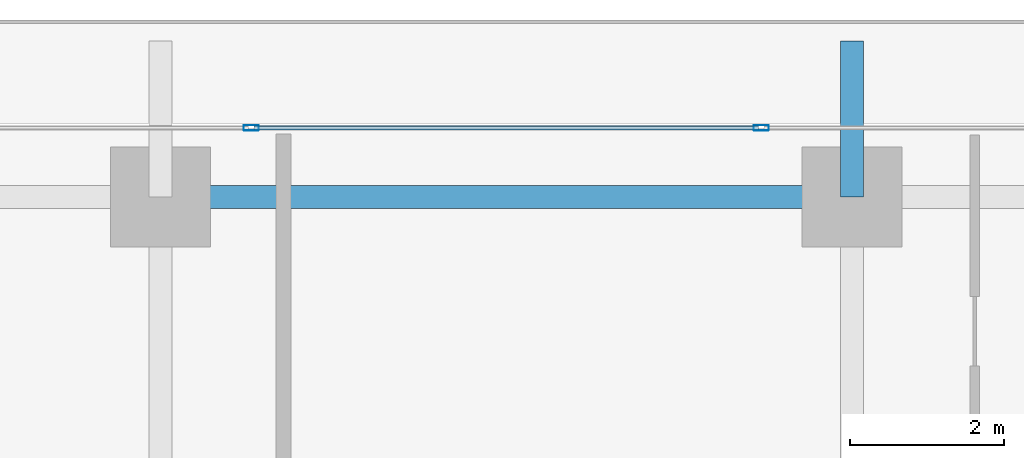
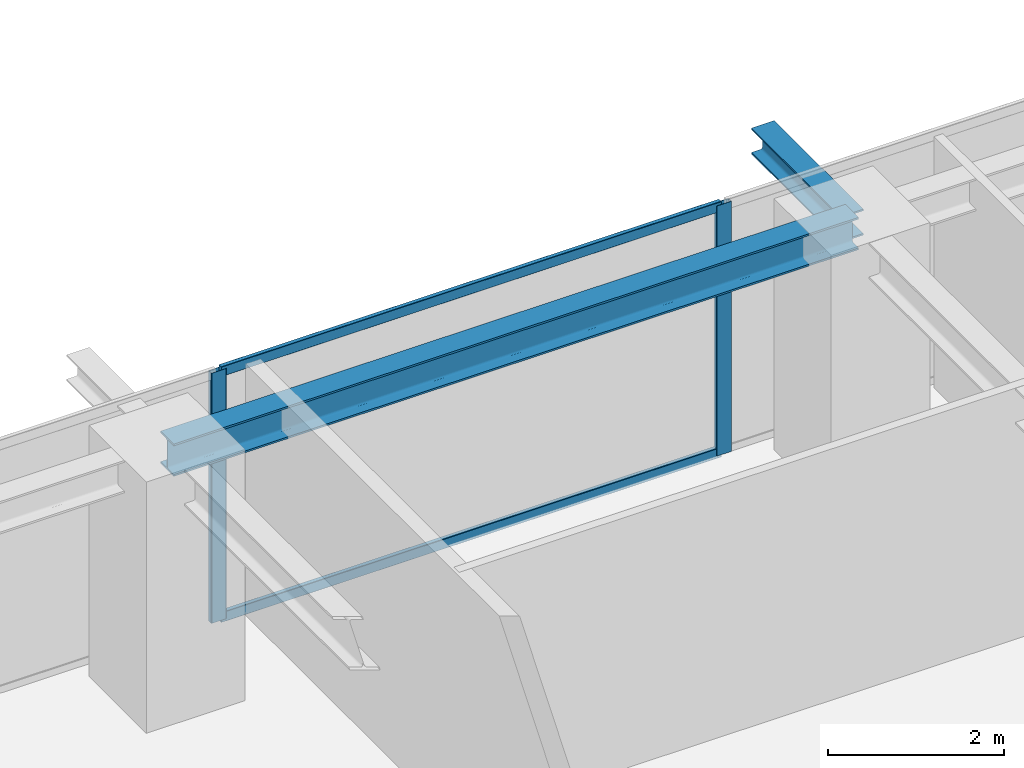
# One storey, part 19 of 34: 4 members, 2 beams, 1 element without a shape of its own.
"""IFC4 building model written with IfcOpenShell, lengths in metres."""

from ifc_helpers import new_model, si_unit, direction, frame, origin, origin_2d, place, context, subcontext, project, spatial, hollow_rectangle, i_section, extrude, source, transform, mapped, material, layer, layer_set, material_profile, profile_set, type_object, element, aggregate, save


model = new_model("IFC4")

# Units and contexts
model_context = context("Model", 3, precision=1e-05, world=origin(), true_north=direction((0.0, 1.0)))
body_context = subcontext(model_context, "Body", "Model", "MODEL_VIEW")
ifc_project = project(units=[si_unit("LENGTHUNIT", "METRE"), si_unit("AREAUNIT", "SQUARE_METRE"), si_unit("VOLUMEUNIT", "CUBIC_METRE"), si_unit("PLANEANGLEUNIT", "RADIAN"), si_unit("MASSUNIT", "GRAM", prefix="KILO")], contexts=[model_context])

# Site, building, storey
site_placement = place(None, origin())
site = spatial("IfcSite", under=ifc_project, at=site_placement, CompositionType="ELEMENT")
building_placement = place(site_placement, origin())
building = spatial("IfcBuilding", under=site, at=building_placement, Name="Serunith Strait Residences", CompositionType="ELEMENT")
storey_placement = place(building_placement, frame((0.0, 0.0, 187.64990234375)))
storey = spatial("IfcBuildingStorey", under=building, at=storey_placement, Name="L47", CompositionType="ELEMENT", Elevation=187.64990234375)

# Beams
ifc_material_1 = material(Name="Steel S355J2", Category="steel")
ifc_material_profile_1 = material_profile(ifc_material_1, i_section(OverallWidth=0.300048828125, OverallDepth=0.449951171875, WebThickness=0.013916015625, FlangeThickness=0.02587890625, FilletRadius=0.027099609375, at=origin_2d()), Name="HEB 450")
ifc_profile_set_1 = profile_set([ifc_material_profile_1], Name="Steel S355J2")
beam_type_1 = type_object("IfcBeamType", Name="BM-HEB450", PredefinedType="BEAM", material=ifc_profile_set_1)
shared_shape_1 = source(origin(), body_context, "Body", "SweptSolid", [
    extrude(i_section(OverallWidth=0.300048828125, OverallDepth=0.449951171875, WebThickness=0.013916015625, FlangeThickness=0.02587890625, FilletRadius=0.027099609375, at=origin_2d()), origin(), (0.0, 0.0, 1.0), 9.0),
])
beam_1_placement = place(storey_placement, frame((36.89990234375, 48.10009765625, 3.26220703125), z_axis=(-1.0, 0.0, 0.0), x_axis=(0.0, -1.0, 0.0)))
element("IfcBeam", 1, at=beam_1_placement, inside=storey, type_object=beam_type_1, Name="L47 Perimeter Ring Beam 10", PredefinedType="BEAM", context=body_context, shape_type="MappedRepresentation", body=[
    mapped(shared_shape_1, transform((0.0, 0.0, 0.0), scale=1.0)),
])
ifc_material_profile_2 = material_profile(ifc_material_1, i_section(OverallWidth=0.300048828125, OverallDepth=0.360107421875, WebThickness=0.012451171875, FlangeThickness=0.0224609375, FilletRadius=0.027099609375, at=origin_2d()), Name="HEB 360")
ifc_profile_set_2 = profile_set([ifc_material_profile_2], Name="Steel S355J2")
beam_type_2 = type_object("IfcBeamType", Name="BM-HEB360", PredefinedType="BEAM", material=ifc_profile_set_2)
shared_shape_2 = source(origin(), body_context, "Body", "SweptSolid", [
    extrude(i_section(OverallWidth=0.300048828125, OverallDepth=0.360107421875, WebThickness=0.012451171875, FlangeThickness=0.0224609375, FilletRadius=0.027099609375, at=origin_2d()), origin(), (0.0, 0.0, 1.0), 2.02978515625),
])
beam_2_placement = place(storey_placement, frame((36.89990234375, 48.10009765625, 3.277099609375), z_axis=(0.0, 1.0, 0.0), x_axis=(-1.0, 0.0, 0.0)))
element("IfcBeam", 2, at=beam_2_placement, inside=storey, type_object=beam_type_2, Name="L48 Cantilevered Balcony Rib TC-N3", PredefinedType="BEAM", context=body_context, shape_type="MappedRepresentation", body=[
    mapped(shared_shape_2, transform((0.0, 0.0, 0.0), scale=1.0)),
])

# Curtain wall, members
ifc_material_2 = material(Name="Pale-Champagne Anodised Aluminium", Category="aluminium")
ifc_layer = layer(ifc_material_2, 0.199951171875, Name="Pale-Champagne Anodised Aluminium")
ifc_layer_set = layer_set([ifc_layer], Name="Pale-Champagne Anodised Aluminium")
curtain_wall_type = type_object("IfcCurtainWallType", Name="CW-SYS2", PredefinedType="NOTDEFINED", material=ifc_layer_set)
curtain_wall_placement = place(storey_placement, origin())
curtain_wall = element("IfcCurtainWall", 3, at=curtain_wall_placement, inside=storey, type_object=curtain_wall_type, Name="L47 N Unitised Fritted Curtain Wall", PredefinedType="NOTDEFINED")
ifc_material_profile_3 = material_profile(ifc_material_2, hollow_rectangle(XDim=0.070068359375, YDim=0.199951171875, WallThickness=0.00390625, InnerFilletRadius=0.006103515625, OuterFilletRadius=0.010009765625, at=origin_2d()), Name="ALU 200x70x4")
ifc_profile_set_3 = profile_set([ifc_material_profile_3], Name="Pale-Champagne Anodised Aluminium")
member_type_1 = type_object("IfcMemberType", Name="CW-SYS2-MULL", PredefinedType="MULLION", material=ifc_profile_set_3)
shared_shape_3 = source(origin(), body_context, "Body", "SweptSolid", [
    extrude(hollow_rectangle(XDim=0.070068359375, YDim=0.199951171875, WallThickness=0.00390625, InnerFilletRadius=0.006103515625, OuterFilletRadius=0.010009765625, at=origin_2d()), origin(), (0.0, 0.0, 1.0), 3.47509765625),
])
member_1_placement = place(storey_placement, frame((35.719970703125, 49.0, 0.0), z_axis=(0.0, 0.0, 1.0), x_axis=(0.0, -1.0, 0.0)))
member_1 = element("IfcMember", 4, at=member_1_placement, type_object=member_type_1, Name="CW-2 mullion 3", PredefinedType="MULLION", context=body_context, shape_type="MappedRepresentation", body=[
    mapped(shared_shape_3, transform((0.0, 0.0, 0.0), scale=1.0)),
])
member_2_placement = place(storey_placement, frame((29.080078125, 49.0, 0.0), z_axis=(0.0, 0.0, 1.0), x_axis=(0.0, -1.0, 0.0)))
member_2 = element("IfcMember", 5, at=member_2_placement, type_object=member_type_1, Name="CW-2 mullion 4", PredefinedType="MULLION", context=body_context, shape_type="MappedRepresentation", body=[
    mapped(shared_shape_3, transform((0.0, 0.0, 0.0), scale=1.0)),
])
ifc_material_profile_4 = material_profile(ifc_material_2, hollow_rectangle(XDim=0.06005859375, YDim=0.139892578125, WallThickness=0.00341796875, InnerFilletRadius=0.00537109375, OuterFilletRadius=0.0087890625, at=origin_2d()), Name="ALU 140x60x3.5")
ifc_profile_set_4 = profile_set([ifc_material_profile_4], Name="Pale-Champagne Anodised Aluminium")
member_type_2 = type_object("IfcMemberType", Name="CW-SYS2-TRAN", PredefinedType="USERDEFINED", material=ifc_profile_set_4)
shared_shape_4 = source(origin(), body_context, "Body", "SweptSolid", [
    extrude(hollow_rectangle(XDim=0.06005859375, YDim=0.139892578125, WallThickness=0.00341796875, InnerFilletRadius=0.00537109375, OuterFilletRadius=0.0087890625, at=origin_2d()), origin(), (0.0, 0.0, 1.0), 6.570068359375),
])
member_3_placement = place(storey_placement, frame((35.68505859375, 49.0, 0.030029296875), z_axis=(-1.0, 0.0, 0.0), x_axis=(0.0, -1.0, 0.0)))
member_3 = element("IfcMember", 6, at=member_3_placement, type_object=member_type_2, Name="CW-2 transom 3.1", ObjectType="TRANSOM", PredefinedType="USERDEFINED", context=body_context, shape_type="MappedRepresentation", body=[
    mapped(shared_shape_4, transform((0.0, 0.0, 0.0), scale=1.0)),
])
member_4_placement = place(storey_placement, frame((35.68505859375, 49.0, 3.445068359375), z_axis=(-1.0, 0.0, 0.0), x_axis=(0.0, -1.0, 0.0)))
member_4 = element("IfcMember", 7, at=member_4_placement, type_object=member_type_2, Name="CW-2 transom 3.2", ObjectType="TRANSOM", PredefinedType="USERDEFINED", context=body_context, shape_type="MappedRepresentation", body=[
    mapped(shared_shape_4, transform((0.0, 0.0, 0.0), scale=1.0)),
])
aggregate(curtain_wall, [member_1, member_2, member_3, member_4])

save(model, "model.ifc")
